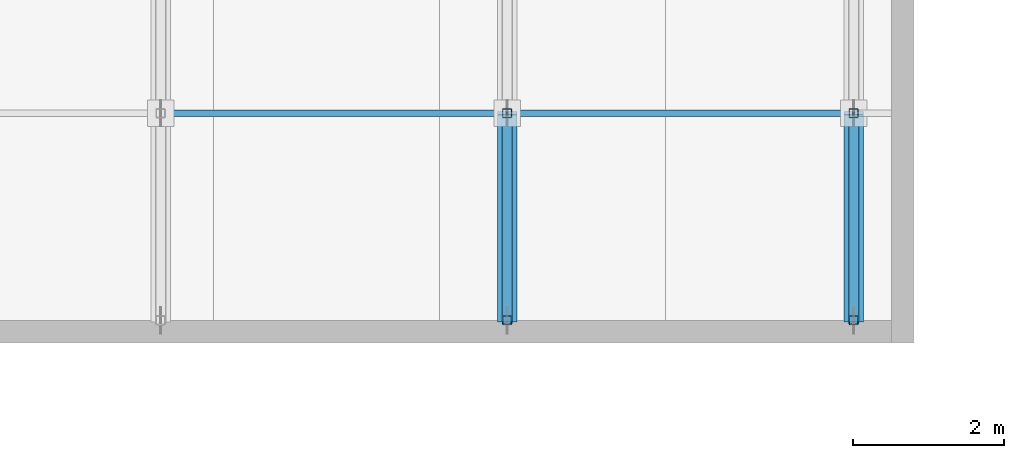
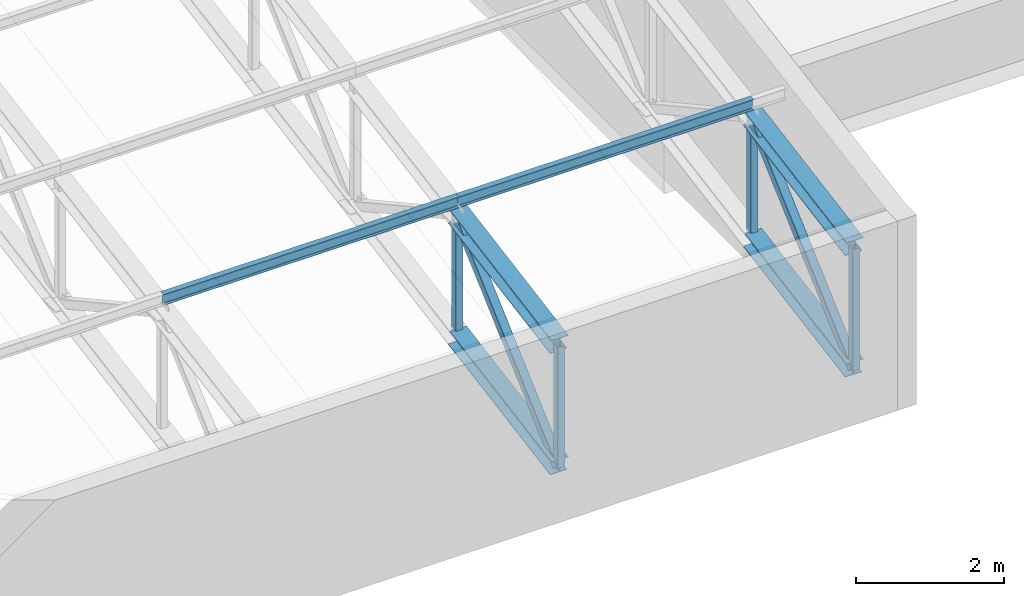
# One storey, part 2 of 22: 12 members.
"""IFC4 building model written with IfcOpenShell, lengths in metres."""

import ifcopenshell
import ifcopenshell.guid

model = None  # the IFC model being written
_history = None  # IfcOwnerHistory: only IFC2X3 demands one
_inside = {}  # id of a spatial element -> (the spatial element, [elements in it])
_under = {}  # id of a project, library or spatial element -> (it, [spatial elements below it])
_declared = {}  # id of a project -> (the project, [libraries it declares])
_typed = {}  # id of a type object -> (the type object, [elements of that type])
_made_of = {}  # id of a material, layer set ... -> (it, [elements and type objects made of it])


def new_model(schema):
    """Start an empty IFC model of exactly this schema.

    Asked for "IFC4X3", IfcOpenShell would pick the latest addendum, in which some entities
    have other attributes; the version numbers below select the first issue.
    IFC2X3 requires an IfcOwnerHistory on every rooted entity: one is made here for all.
    """
    global model, _history
    if schema == "IFC4X3":
        model = ifcopenshell.file(schema_version=(4, 3, 0, 0))
    else:
        model = ifcopenshell.file(schema=schema)
    _inside.clear()
    _under.clear()
    _declared.clear()
    _typed.clear()
    _made_of.clear()
    _history = None
    if model.schema == "IFC2X3":
        org = make("IfcOrganization", Name="unknown")
        user = make(
            "IfcPersonAndOrganization",
            ThePerson=make("IfcPerson", FamilyName="unknown"),
            TheOrganization=org,
        )
        app = make(
            "IfcApplication",
            ApplicationDeveloper=org,
            Version="unknown",
            ApplicationFullName="unknown",
            ApplicationIdentifier="unknown",
        )
        _history = make(
            "IfcOwnerHistory",
            OwningUser=user,
            OwningApplication=app,
            ChangeAction="ADDED",
            CreationDate=0,
        )
    return model


def make(cls, **values):
    """One entity of the class cls with the attributes given. An attribute that is None is left unset."""
    return model.create_entity(
        cls, **{name: value for name, value in values.items() if value is not None}
    )


def rooted(cls, **values):
    """An entity with a GlobalId (a new one), such as an element, a storey or a relation."""
    return make(cls, GlobalId=ifcopenshell.guid.new(), OwnerHistory=_history, **values)


def si_unit(unit_type, name, prefix=None):
    """IfcSIUnit, for example si_unit("LENGTHUNIT", "METRE", prefix="MILLI")."""
    return make("IfcSIUnit", UnitType=unit_type, Prefix=prefix, Name=name)


def assignment(units):
    """IfcUnitAssignment: the units of a project."""
    return None if units is None else make("IfcUnitAssignment", Units=units)


def point(xyz):
    """IfcCartesianPoint."""
    return None if xyz is None else make("IfcCartesianPoint", Coordinates=xyz)


def direction(xyz):
    """IfcDirection."""
    return None if xyz is None else make("IfcDirection", DirectionRatios=xyz)


def frame(location, z_axis=None, x_axis=None):
    """IfcAxis2Placement3D, a coordinate frame: its origin and axes. An axis left out is left unset."""
    return make(
        "IfcAxis2Placement3D",
        Location=point(location),
        Axis=direction(z_axis),
        RefDirection=direction(x_axis),
    )


def frame_2d(location, x_axis=None):
    """IfcAxis2Placement2D, a coordinate frame in the plane: its origin and x axis."""
    return make(
        "IfcAxis2Placement2D", Location=point(location), RefDirection=direction(x_axis)
    )


def origin():
    """The frame at (0, 0, 0) with its axes left unset."""
    return frame((0.0, 0.0, 0.0))


def origin_2d():
    """The frame at (0, 0) in the plane with its x axis left unset."""
    return frame_2d((0.0, 0.0))


def place(relative_to, where):
    """IfcLocalPlacement: puts the frame where relative to a parent placement (None: the world)."""
    return make(
        "IfcLocalPlacement", PlacementRelTo=relative_to, RelativePlacement=where
    )


def context(
    kind, dimensions, precision=None, world=None, true_north=None, identifier=None
):
    """IfcGeometricRepresentationContext, for example the 3D "Model" context."""
    return make(
        "IfcGeometricRepresentationContext",
        ContextIdentifier=identifier,
        ContextType=kind,
        CoordinateSpaceDimension=dimensions,
        Precision=precision,
        WorldCoordinateSystem=world,
        TrueNorth=true_north,
    )


def subcontext(parent, identifier, kind, view, scale=None):
    """IfcGeometricRepresentationSubContext, for example "Body" below "Model"."""
    return make(
        "IfcGeometricRepresentationSubContext",
        ContextIdentifier=identifier,
        ContextType=kind,
        ParentContext=parent,
        TargetScale=scale,
        TargetView=view,
    )


def project(units=None, contexts=None):
    """IfcProject with its units and contexts."""
    return rooted(
        "IfcProject",
        Name="project",
        RepresentationContexts=contexts,
        UnitsInContext=assignment(units),
    )


def spatial(cls, under=None, at=None, **own):
    """A site, building, storey or space (cls), placed at a placement, below another one or the project."""
    s = rooted(cls, ObjectPlacement=at, **own)
    if under is not None:
        _under.setdefault(under.id(), (under, []))[1].append(s)
    return s


def profile(cls, at=None, kind="AREA", **sizes):
    """A parametric profile (cls). Its sizes go by their IFC names, for example OverallWidth=200.0."""
    return make(cls, ProfileType=kind, Position=at, **sizes)


def hollow_rectangle(**sizes):
    """IfcRectangleHollowProfileDef."""
    return profile("IfcRectangleHollowProfileDef", **sizes)


def i_section(**sizes):
    """IfcIShapeProfileDef."""
    return profile("IfcIShapeProfileDef", **sizes)


def extrude(swept, where, along, depth):
    """IfcExtrudedAreaSolid: the profile swept, set in the frame where, extruded along a direction by depth."""
    return make(
        "IfcExtrudedAreaSolid",
        SweptArea=swept,
        Position=where,
        ExtrudedDirection=direction(along),
        Depth=depth,
    )


def shape(context_of_items, identifier, shape_type, items):
    """IfcShapeRepresentation: the items that make up one representation, for example the "Body"."""
    return make(
        "IfcShapeRepresentation",
        ContextOfItems=context_of_items,
        RepresentationIdentifier=identifier,
        RepresentationType=shape_type,
        Items=items,
    )


def material(Name=None, Category=None):
    """IfcMaterial."""
    return make("IfcMaterial", Name=Name, Category=Category)


def material_profile(
    of_material, cross_section, Name=None, Category=None, Priority=None
):
    """IfcMaterialProfile: a cross section and its material."""
    return make(
        "IfcMaterialProfile",
        Name=Name,
        Material=of_material,
        Profile=cross_section,
        Priority=Priority,
        Category=Category,
    )


def profile_set(profiles, Name=None, composite=None):
    """IfcMaterialProfileSet."""
    return make(
        "IfcMaterialProfileSet",
        Name=Name,
        MaterialProfiles=profiles,
        CompositeProfile=composite,
    )


def made_of(thing, what):
    """Note that an element or type object is made of a material, layer set ...; save() writes the relation."""
    if what is not None:
        _made_of.setdefault(what.id(), (what, []))[1].append(thing)
    return thing


def type_object(cls, material=None, **own):
    """A type object (cls), such as IfcWallType, which elements share."""
    return made_of(rooted(cls, **own), material)


def element(
    cls,
    number,
    at=None,
    inside=None,
    cuts=None,
    type_object=None,
    material=None,
    context=None,
    identifier="Body",
    shape_type=None,
    held_by="IfcProductDefinitionShape",
    body=None,
    shapes=None,
    **own,
):
    """One element of the class cls, such as IfcWall. Its Tag is "e" and its number.

    at: its placement. inside: the storey or other place that contains it. cuts: it is an
    opening in that element (IfcRelVoidsElement). A single representation is given by context,
    identifier, shape_type and body (its items); several are given by shapes. held_by: the class
    of the entity that holds the representations. save() writes the other relations.
    """
    e = rooted(cls, Tag="e%d" % number, ObjectPlacement=at, **own)
    if body is not None:
        shapes = [shape(context, identifier, shape_type, body)]
    if shapes is not None:
        e.Representation = make(held_by, Representations=shapes)
    if inside is not None:
        _inside.setdefault(inside.id(), (inside, []))[1].append(e)
    if cuts is not None:
        rooted(
            "IfcRelVoidsElement", RelatingBuildingElement=cuts, RelatedOpeningElement=e
        )
    if type_object is not None:
        _typed.setdefault(type_object.id(), (type_object, []))[1].append(e)
    return made_of(e, material)


def aggregate(whole, parts):
    """IfcRelAggregates: a whole, such as a stair, and the parts it consists of."""
    return rooted("IfcRelAggregates", RelatingObject=whole, RelatedObjects=parts)


def save(model, path):
    """Write the relations noted so far, then the file.

    IfcRelAggregates (storeys below a building ...), IfcRelContainedInSpatialStructure (elements
    in a storey), IfcRelDefinesByType, IfcRelAssociatesMaterial and IfcRelDeclares: one each for
    every whole, place, type object, material and project.
    """
    for whole, parts in _under.values():
        aggregate(whole, parts)
    for where, things in _inside.values():
        rooted(
            "IfcRelContainedInSpatialStructure",
            RelatedElements=things,
            RelatingStructure=where,
        )
    for kind, things in _typed.values():
        rooted("IfcRelDefinesByType", RelatedObjects=things, RelatingType=kind)
    for what, things in _made_of.values():
        rooted("IfcRelAssociatesMaterial", RelatedObjects=things, RelatingMaterial=what)
    for by, libraries in _declared.values():
        rooted("IfcRelDeclares", RelatingContext=by, RelatedDefinitions=libraries)
    model.write(path)


model = new_model("IFC4")

# Units and contexts
model_context = context("Model", 3, precision=1e-05, world=origin(), true_north=direction((0.0, 1.0)))
body_context = subcontext(model_context, "Body", "Model", "MODEL_VIEW")
ifc_project = project(units=[si_unit("LENGTHUNIT", "METRE"), si_unit("AREAUNIT", "SQUARE_METRE"), si_unit("VOLUMEUNIT", "CUBIC_METRE"), si_unit("PLANEANGLEUNIT", "RADIAN"), si_unit("MASSUNIT", "GRAM", prefix="KILO")], contexts=[model_context])

# Site, building, storey
site_placement = place(None, origin())
site = spatial("IfcSite", under=ifc_project, at=site_placement, CompositionType="ELEMENT")
building_placement = place(site_placement, origin())
building = spatial("IfcBuilding", under=site, at=building_placement, Name="Lunette Opera House", CompositionType="ELEMENT")
storey_placement = place(building_placement, frame((0.0, 0.0, 28.0)))
storey = spatial("IfcBuildingStorey", under=building, at=storey_placement, Name="L05", CompositionType="ELEMENT", Elevation=28.0)

# Members
ifc_material_1 = material(Name="Steel S355", Category="steel")
ifc_material_profile_1 = material_profile(ifc_material_1, i_section(OverallWidth=0.260009765625, OverallDepth=0.25, WebThickness=0.007568359375, FlangeThickness=0.012451171875, FilletRadius=0.02392578125, at=origin_2d()), Name="HEA 260")
ifc_profile_set_1 = profile_set([ifc_material_profile_1], Name="Steel S355")
member_type_1 = type_object("IfcMemberType", Name="CHORD HEA 260", PredefinedType="CHORD", material=ifc_profile_set_1)
for number, where, z_axis, x_axis, name in (
    (1, (28.89990234375, 66.0, 2.695068359375), (0.0, 0.984809952442, 0.173635703618), (-1.0, 0.0, 0.0), "mem-RW-L05-LF-5-TC1"),
    (2, (28.89990234375, 66.0, 0.695068359375), (0.0, 0.984809952442, 0.173635703618), (-1.0, 0.0, 0.0), "mem-RW-L05-LF-5-BC1"),
    (3, (33.5, 66.0, 2.695068359375), (0.0, 0.984809952442, 0.173635703618), (-1.0, 0.0, 0.0), "mem-RW-L05-LF-6-TC1"),
    (4, (33.5, 66.0, 0.695068359375), (0.0, 0.984809952442, 0.173635703618), (-1.0, 0.0, 0.0), "mem-RW-L05-LF-6-BC1"),
):
    element("IfcMember", number, at=place(storey_placement, frame(where, z_axis=z_axis, x_axis=x_axis)), inside=storey, type_object=member_type_1, Name=name, PredefinedType="CHORD", context=body_context, shape_type="SweptSolid", body=[
        extrude(i_section(OverallWidth=0.260009765625, OverallDepth=0.25, WebThickness=0.007568359375, FlangeThickness=0.012451171875, FilletRadius=0.02392578125, at=origin_2d()), origin(), (0.0, 0.0, 1.0), 2.79248046875),
    ])
ifc_material_2 = material(Name="Steel S355", Category="steel")
ifc_material_profile_2 = material_profile(ifc_material_2, hollow_rectangle(XDim=0.139892578125, YDim=0.139892578125, WallThickness=0.006103515625, InnerFilletRadius=0.006103515625, OuterFilletRadius=0.011962890625, at=origin_2d()), Name="RHS 140X140X6")
ifc_profile_set_2 = profile_set([ifc_material_profile_2], Name="Steel S355")
member_type_2 = type_object("IfcMemberType", Name="DIAGONAL RHS 140X140X6", PredefinedType="BRACE", material=ifc_profile_set_2)
for number, where, z_axis, x_axis, name in (
    (5, (28.89990234375, 66.0, 0.695068359375), (0.0, 0.741969451931, 0.670433689787), (-1.0, 0.0, 0.0), "mem-RW-L05-LF-5-TD1"),
    (6, (33.5, 66.0, 0.695068359375), (0.0, 0.741969451931, 0.670433689787), (-1.0, 0.0, 0.0), "mem-RW-L05-LF-6-TD1"),
):
    element("IfcMember", number, at=place(storey_placement, frame(where, z_axis=z_axis, x_axis=x_axis)), inside=storey, type_object=member_type_2, Name=name, PredefinedType="BRACE", context=body_context, shape_type="SweptSolid", body=[
        extrude(hollow_rectangle(XDim=0.139892578125, YDim=0.139892578125, WallThickness=0.006103515625, InnerFilletRadius=0.006103515625, OuterFilletRadius=0.011962890625, at=origin_2d()), origin(), (0.0, 0.0, 1.0), 3.706298828125),
    ])
ifc_material_3 = material(Name="Steel S355", Category="steel")
ifc_material_profile_3 = material_profile(ifc_material_3, i_section(OverallWidth=0.091064453125, OverallDepth=0.179931640625, WebThickness=0.00537109375, FlangeThickness=0.008056640625, FilletRadius=0.009033203125, at=origin_2d()), Name="IPE 180")
ifc_profile_set_3 = profile_set([ifc_material_profile_3], Name="Steel S355")
member_type_3 = type_object("IfcMemberType", Name="PURLIN IPE 180", PredefinedType="PURLIN", material=ifc_profile_set_3)
member_1_placement = place(storey_placement, frame((24.300048828125, 68.75, 3.39501953125), z_axis=(1.0, 0.0, 0.0), x_axis=(0.0, 1.0, 0.0)))
element("IfcMember", 7, at=member_1_placement, inside=storey, type_object=member_type_3, Name="mem-RW-L05-LF-PU1-5", PredefinedType="PURLIN", context=body_context, shape_type="SweptSolid", body=[
    extrude(i_section(OverallWidth=0.091064453125, OverallDepth=0.179931640625, WebThickness=0.00537109375, FlangeThickness=0.008056640625, FilletRadius=0.009033203125, at=origin_2d()), origin(), (0.0, 0.0, 1.0), 4.599853515625),
])
member_2_placement = place(storey_placement, frame((28.89990234375, 68.75, 3.39501953125), z_axis=(1.0, 0.0, 0.0), x_axis=(0.0, 1.0, 0.0)))
element("IfcMember", 8, at=member_2_placement, inside=storey, type_object=member_type_3, Name="mem-RW-L05-LF-PU1-6", PredefinedType="PURLIN", context=body_context, shape_type="SweptSolid", body=[
    extrude(i_section(OverallWidth=0.091064453125, OverallDepth=0.179931640625, WebThickness=0.00537109375, FlangeThickness=0.008056640625, FilletRadius=0.009033203125, at=origin_2d()), origin(), (0.0, 0.0, 1.0), 4.60009765625),
])
ifc_material_4 = material(Name="Steel S355", Category="steel")
ifc_material_profile_4 = material_profile(ifc_material_4, hollow_rectangle(XDim=0.1201171875, YDim=0.1201171875, WallThickness=0.0048828125, InnerFilletRadius=0.0048828125, OuterFilletRadius=0.010009765625, at=origin_2d()), Name="RHS 120X120X5")
ifc_profile_set_4 = profile_set([ifc_material_profile_4], Name="Steel S355")
member_type_4 = type_object("IfcMemberType", Name="VERTICAL RHS 120X120X5", PredefinedType="POST", material=ifc_profile_set_4)
for number, where, z_axis, x_axis, name in (
    (9, (28.89990234375, 66.0, 0.695068359375), (0.0, 0.0, 1.0), (1.0, 0.0, 0.0), "mem-RW-L05-LF-5-TV1"),
    (10, (28.89990234375, 68.75, 1.179931640625), (0.0, 0.0, 1.0), (1.0, 0.0, 0.0), "mem-RW-L05-LF-5-TV2"),
    (11, (33.5, 66.0, 0.695068359375), (0.0, 0.0, 1.0), (1.0, 0.0, 0.0), "mem-RW-L05-LF-6-TV1"),
    (12, (33.5, 68.75, 1.179931640625), (0.0, 0.0, 1.0), (1.0, 0.0, 0.0), "mem-RW-L05-LF-6-TV2"),
):
    element("IfcMember", number, at=place(storey_placement, frame(where, z_axis=z_axis, x_axis=x_axis)), inside=storey, type_object=member_type_4, Name=name, PredefinedType="POST", context=body_context, shape_type="SweptSolid", body=[
        extrude(hollow_rectangle(XDim=0.1201171875, YDim=0.1201171875, WallThickness=0.0048828125, InnerFilletRadius=0.0048828125, OuterFilletRadius=0.010009765625, at=origin_2d()), origin(), (0.0, 0.0, 1.0), 2.0),
    ])

save(model, "model.ifc")
